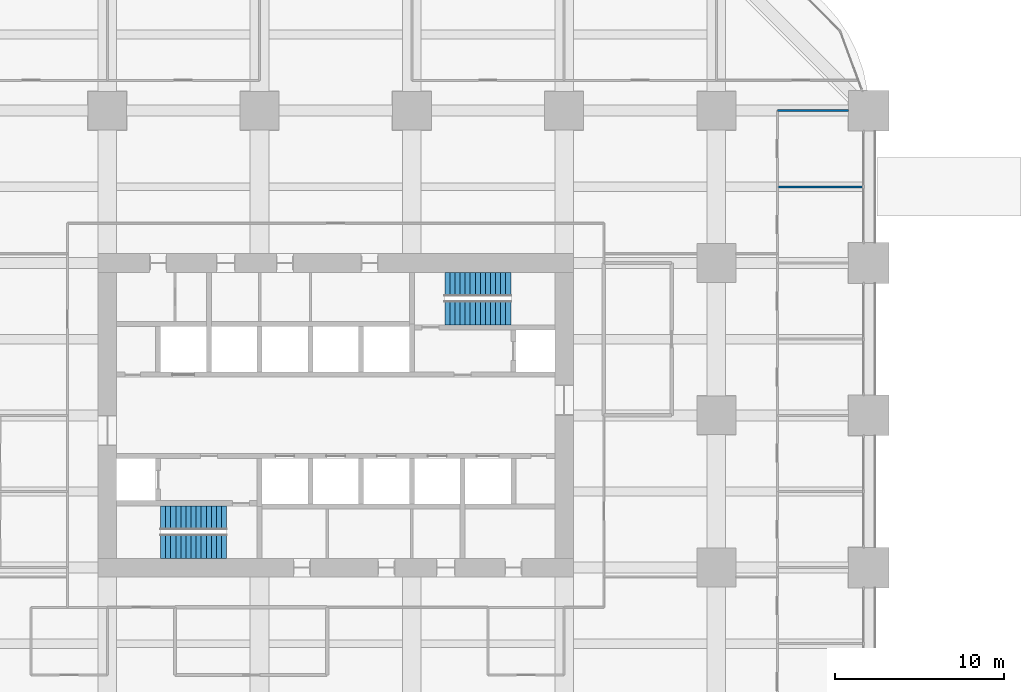
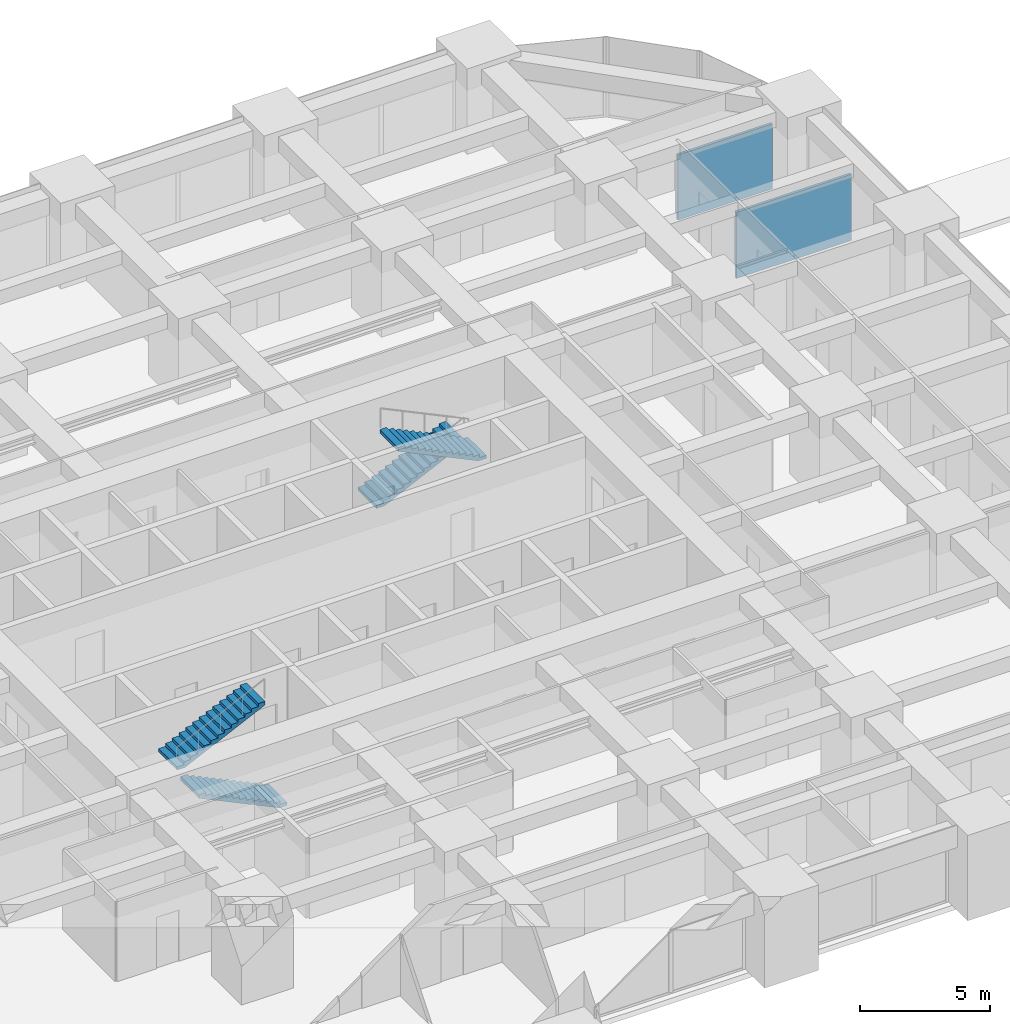
# One storey, part 37 of 39: 4 stair flights, 2 walls, 2 elements without a shape of their own.
"""IFC4 building model written with IfcOpenShell, lengths in metres."""

from ifc_helpers import new_model, si_unit, direction, frame, frame_2d, origin, place, context, subcontext, project, spatial, polyline, rectangle, outline, extrude, material, layer, layer_set, type_object, element, aggregate, save


model = new_model("IFC4")

# Units and contexts
model_context = context("Model", 3, precision=1e-05, world=origin(), true_north=direction((0.0, 1.0)))
body_context = subcontext(model_context, "Body", "Model", "MODEL_VIEW")
ifc_project = project(units=[si_unit("LENGTHUNIT", "METRE"), si_unit("AREAUNIT", "SQUARE_METRE"), si_unit("VOLUMEUNIT", "CUBIC_METRE"), si_unit("PLANEANGLEUNIT", "RADIAN"), si_unit("MASSUNIT", "GRAM", prefix="KILO")], contexts=[model_context])

# Site, building, storey
site_placement = place(None, origin())
site = spatial("IfcSite", under=ifc_project, at=site_placement, CompositionType="ELEMENT")
building_placement = place(site_placement, origin())
building = spatial("IfcBuilding", under=site, at=building_placement, Name="Zorevar Civic Tower", CompositionType="ELEMENT")
storey_placement = place(building_placement, frame((0.0, 0.0, 19.800048828125)))
storey = spatial("IfcBuildingStorey", under=building, at=storey_placement, Name="L04", CompositionType="ELEMENT", Elevation=19.800048828125)

# Walls
ifc_material_1 = material(Name="Gypsum board on steel studs", Category="steel")
ifc_layer = layer(ifc_material_1, 0.1201171875)
ifc_layer_set = layer_set([ifc_layer], Name="Partition 120")
wall_type = type_object("IfcWallType", Name="Partition 120", PredefinedType="PARTITIONING", material=ifc_layer_set)
wall_1_placement = place(storey_placement, frame((57.60009765625, 40.5, 0.0), z_axis=(0.0, 0.0, 1.0), x_axis=(1.0, 0.0, 0.0)))
element("IfcWall", 1, at=wall_1_placement, inside=storey, type_object=wall_type, Name="Partition 120 L04", PredefinedType="PARTITIONING", context=body_context, shape_type="SweptSolid", body=[
    extrude(rectangle(XDim=5.08984375, YDim=0.1201171875, at=frame_2d((2.544921875, 0.0))), origin(), (0.0, 0.0, 1.0), 3.099853515625),
])
wall_2_placement = place(storey_placement, frame((57.60009765625, 45.0, 0.0), z_axis=(0.0, 0.0, 1.0), x_axis=(1.0, 0.0, 0.0)))
element("IfcWall", 2, at=wall_2_placement, inside=storey, type_object=wall_type, Name="Partition 120 L04", PredefinedType="PARTITIONING", context=body_context, shape_type="SweptSolid", body=[
    extrude(rectangle(XDim=4.199951171875, YDim=0.1201171875, at=frame_2d((2.10009765625, 0.0))), origin(), (0.0, 0.0, 1.0), 3.050048828125),
])

# Stair, stair flights
ifc_material_2 = material(Name="Precast concrete C40/50", Category="concrete")
stair_type = type_object("IfcStairType", Name="Stair ST 28R", PredefinedType="HALF_TURN_STAIR", material=ifc_material_2)
stair_1_placement = place(storey_placement, origin())
stair_1 = element("IfcStair", 3, at=stair_1_placement, inside=storey, type_object=stair_type, Name="Stair ST1 L04", PredefinedType="HALF_TURN_STAIR")
ifc_material_3 = material(Name="Precast concrete C40/50", Category="concrete")
stair_flight_type = type_object("IfcStairFlightType", Name="Stair flight", PredefinedType="STRAIGHT", material=ifc_material_3)
stair_flight_1_placement = place(storey_placement, frame((25.050048828125, 19.262451171875, 0.0), z_axis=(0.0, 0.0, 1.0), x_axis=(-1.0, 0.0, 0.0)))
stair_flight_1 = element("IfcStairFlight", 4, at=stair_flight_1_placement, type_object=stair_flight_type, Name="ST1 flight 1", NumberOfRisers=14, NumberOfTreads=13, PredefinedType="STRAIGHT", RiserHeight=0.142857143, TreadLength=0.3, context=body_context, shape_type="SweptSolid", body=[
    extrude(outline(polyline([(0.0, 0.0), (0.0, 0.142822265625), (0.300048828125, 0.142822265625), (0.300048828125, 0.28564453125), (0.60009765625, 0.28564453125), (0.60009765625, 0.428466796875), (0.89990234375, 0.428466796875), (0.89990234375, 0.571533203125), (1.199951171875, 0.571533203125), (1.199951171875, 0.71435546875), (1.5, 0.71435546875), (1.5, 0.857177734375), (1.800048828125, 0.857177734375), (1.800048828125, 1.0), (2.10009765625, 1.0), (2.10009765625, 1.142822265625), (2.39990234375, 1.142822265625), (2.39990234375, 1.28564453125), (2.699951171875, 1.28564453125), (2.699951171875, 1.428466796875), (3.0, 1.428466796875), (3.0, 1.571533203125), (3.300048828125, 1.571533203125), (3.300048828125, 1.71435546875), (3.60009765625, 1.71435546875), (3.60009765625, 1.857177734375), (3.89990234375, 1.857177734375), (3.89990234375, 2.0), (3.89990234375, 1.691162109375), (0.3486328125, 0.0), (0.0, 0.0)])), frame((0.0, 0.71240234375, 0.0), z_axis=(0.0, -1.0, 0.0), x_axis=(1.0, 0.0, 0.0)), (0.0, 0.0, 1.0), 1.425048828125),
])
stair_flight_2_placement = place(storey_placement, frame((21.14990234375, 20.9375, 2.0), z_axis=(0.0, 0.0, 1.0), x_axis=(1.0, 0.0, 0.0)))
stair_flight_2 = element("IfcStairFlight", 5, at=stair_flight_2_placement, type_object=stair_flight_type, Name="ST1 flight 2", NumberOfRisers=14, NumberOfTreads=13, PredefinedType="STRAIGHT", RiserHeight=0.142857143, TreadLength=0.3, context=body_context, shape_type="SweptSolid", body=[
    extrude(outline(polyline([(0.0, 0.0), (0.0, 0.142822265625), (0.300048828125, 0.142822265625), (0.300048828125, 0.28564453125), (0.60009765625, 0.28564453125), (0.60009765625, 0.428466796875), (0.89990234375, 0.428466796875), (0.89990234375, 0.571533203125), (1.199951171875, 0.571533203125), (1.199951171875, 0.71435546875), (1.5, 0.71435546875), (1.5, 0.857177734375), (1.800048828125, 0.857177734375), (1.800048828125, 1.0), (2.10009765625, 1.0), (2.10009765625, 1.142822265625), (2.39990234375, 1.142822265625), (2.39990234375, 1.28564453125), (2.699951171875, 1.28564453125), (2.699951171875, 1.428466796875), (3.0, 1.428466796875), (3.0, 1.571533203125), (3.300048828125, 1.571533203125), (3.300048828125, 1.71435546875), (3.60009765625, 1.71435546875), (3.60009765625, 1.857177734375), (3.89990234375, 1.857177734375), (3.89990234375, 2.0), (3.89990234375, 1.691162109375), (0.3486328125, 0.0), (0.0, 0.0)])), frame((0.0, 0.71240234375, 0.0), z_axis=(0.0, -1.0, 0.0), x_axis=(1.0, 0.0, 0.0)), (0.0, 0.0, 1.0), 1.425048828125),
])
aggregate(stair_1, [stair_flight_1, stair_flight_2])

stair_2_placement = place(storey_placement, origin())
stair_2 = element("IfcStair", 6, at=stair_2_placement, inside=storey, type_object=stair_type, Name="Stair ST2 L04", PredefinedType="HALF_TURN_STAIR")
stair_flight_3_placement = place(storey_placement, frame((37.949951171875, 34.737548828125, 0.0), z_axis=(0.0, 0.0, 1.0), x_axis=(1.0, 0.0, 0.0)))
stair_flight_3 = element("IfcStairFlight", 7, at=stair_flight_3_placement, type_object=stair_flight_type, Name="ST2 flight 1", NumberOfRisers=14, NumberOfTreads=13, PredefinedType="STRAIGHT", RiserHeight=0.142857143, TreadLength=0.3, context=body_context, shape_type="SweptSolid", body=[
    extrude(outline(polyline([(0.0, 0.0), (0.0, 0.142822265625), (0.300048828125, 0.142822265625), (0.300048828125, 0.28564453125), (0.60009765625, 0.28564453125), (0.60009765625, 0.428466796875), (0.89990234375, 0.428466796875), (0.89990234375, 0.571533203125), (1.199951171875, 0.571533203125), (1.199951171875, 0.71435546875), (1.5, 0.71435546875), (1.5, 0.857177734375), (1.800048828125, 0.857177734375), (1.800048828125, 1.0), (2.10009765625, 1.0), (2.10009765625, 1.142822265625), (2.39990234375, 1.142822265625), (2.39990234375, 1.28564453125), (2.699951171875, 1.28564453125), (2.699951171875, 1.428466796875), (3.0, 1.428466796875), (3.0, 1.571533203125), (3.300048828125, 1.571533203125), (3.300048828125, 1.71435546875), (3.60009765625, 1.71435546875), (3.60009765625, 1.857177734375), (3.89990234375, 1.857177734375), (3.89990234375, 2.0), (3.89990234375, 1.691162109375), (0.3486328125, 0.0), (0.0, 0.0)])), frame((0.0, 0.71240234375, 0.0), z_axis=(0.0, -1.0, 0.0), x_axis=(1.0, 0.0, 0.0)), (0.0, 0.0, 1.0), 1.425048828125),
])
stair_flight_4_placement = place(storey_placement, frame((41.85009765625, 33.0625, 2.0), z_axis=(0.0, 0.0, 1.0), x_axis=(-1.0, 0.0, 0.0)))
stair_flight_4 = element("IfcStairFlight", 8, at=stair_flight_4_placement, type_object=stair_flight_type, Name="ST2 flight 2", NumberOfRisers=14, NumberOfTreads=13, PredefinedType="STRAIGHT", RiserHeight=0.142857143, TreadLength=0.3, context=body_context, shape_type="SweptSolid", body=[
    extrude(outline(polyline([(0.0, 0.0), (0.0, 0.142822265625), (0.300048828125, 0.142822265625), (0.300048828125, 0.28564453125), (0.60009765625, 0.28564453125), (0.60009765625, 0.428466796875), (0.89990234375, 0.428466796875), (0.89990234375, 0.571533203125), (1.199951171875, 0.571533203125), (1.199951171875, 0.71435546875), (1.5, 0.71435546875), (1.5, 0.857177734375), (1.800048828125, 0.857177734375), (1.800048828125, 1.0), (2.10009765625, 1.0), (2.10009765625, 1.142822265625), (2.39990234375, 1.142822265625), (2.39990234375, 1.28564453125), (2.699951171875, 1.28564453125), (2.699951171875, 1.428466796875), (3.0, 1.428466796875), (3.0, 1.571533203125), (3.300048828125, 1.571533203125), (3.300048828125, 1.71435546875), (3.60009765625, 1.71435546875), (3.60009765625, 1.857177734375), (3.89990234375, 1.857177734375), (3.89990234375, 2.0), (3.89990234375, 1.691162109375), (0.3486328125, 0.0), (0.0, 0.0)])), frame((0.0, 0.71240234375, 0.0), z_axis=(0.0, -1.0, 0.0), x_axis=(1.0, 0.0, 0.0)), (0.0, 0.0, 1.0), 1.425048828125),
])
aggregate(stair_2, [stair_flight_3, stair_flight_4])

save(model, "model.ifc")
